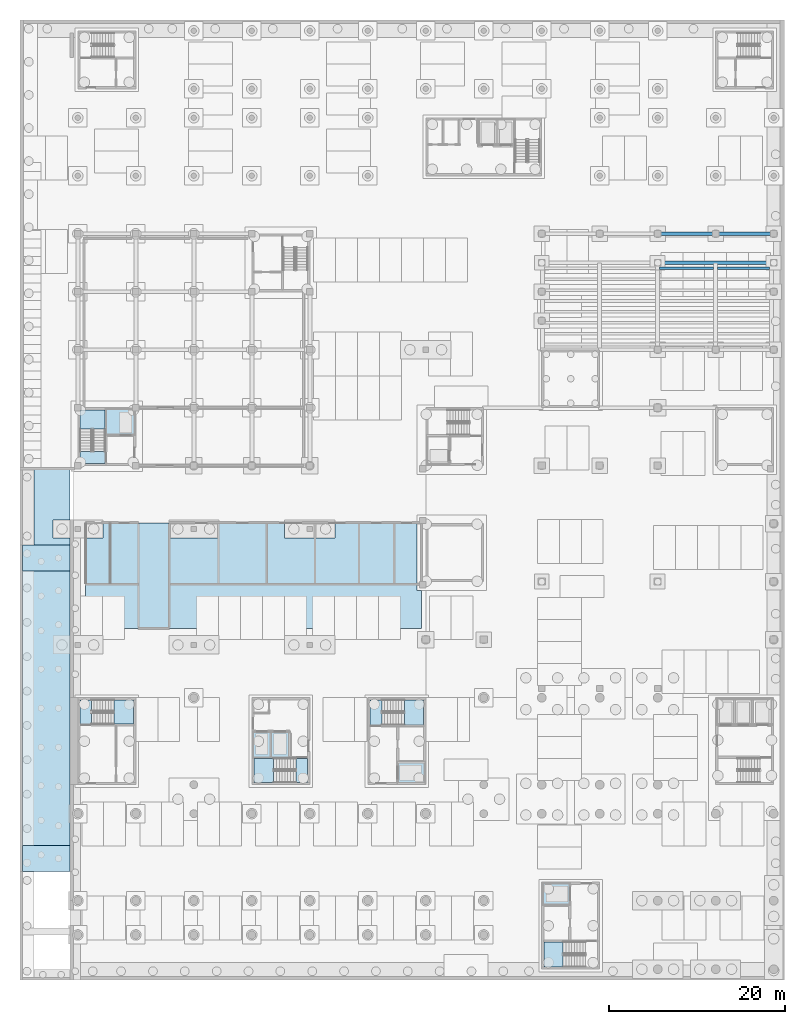
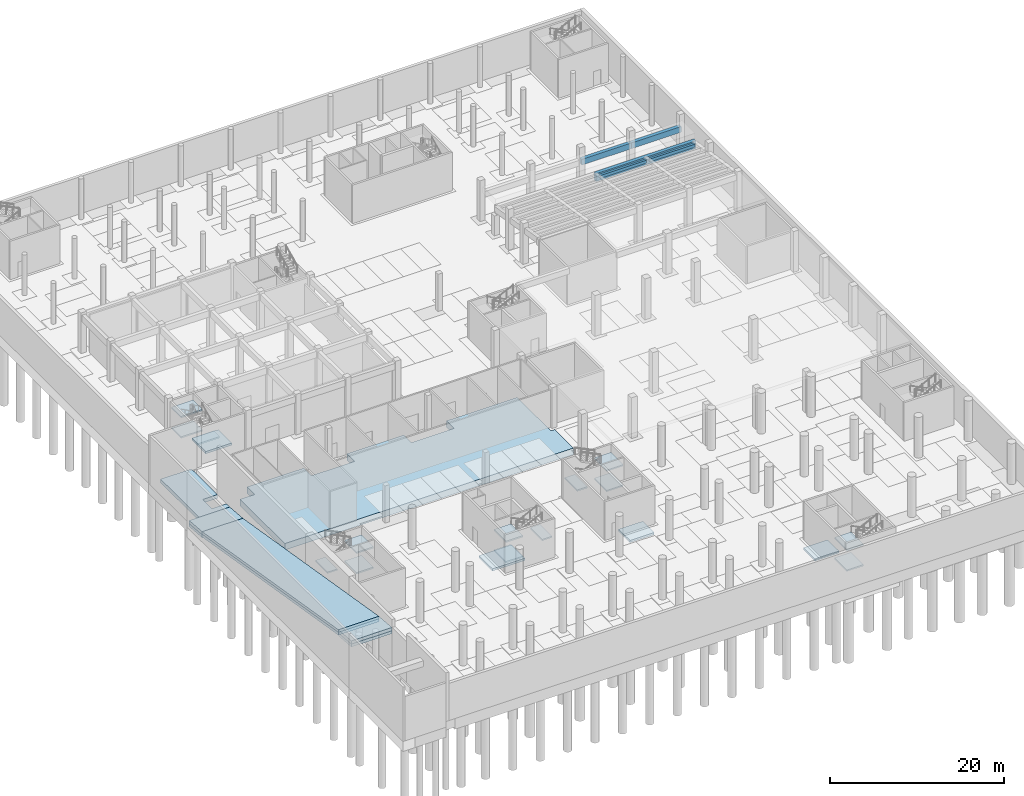
# One storey, part 7 of 38: 26 slabs, 5 beams, 5 elements without a shape of their own.
"""IFC4 building model written with IfcOpenShell, lengths in metres."""

import ifcopenshell
import ifcopenshell.guid

model = None  # the IFC model being written
_history = None  # IfcOwnerHistory: only IFC2X3 demands one
_inside = {}  # id of a spatial element -> (the spatial element, [elements in it])
_under = {}  # id of a project, library or spatial element -> (it, [spatial elements below it])
_declared = {}  # id of a project -> (the project, [libraries it declares])
_typed = {}  # id of a type object -> (the type object, [elements of that type])
_made_of = {}  # id of a material, layer set ... -> (it, [elements and type objects made of it])


def new_model(schema):
    """Start an empty IFC model of exactly this schema.

    Asked for "IFC4X3", IfcOpenShell would pick the latest addendum, in which some entities
    have other attributes; the version numbers below select the first issue.
    IFC2X3 requires an IfcOwnerHistory on every rooted entity: one is made here for all.
    """
    global model, _history
    if schema == "IFC4X3":
        model = ifcopenshell.file(schema_version=(4, 3, 0, 0))
    else:
        model = ifcopenshell.file(schema=schema)
    _inside.clear()
    _under.clear()
    _declared.clear()
    _typed.clear()
    _made_of.clear()
    _history = None
    if model.schema == "IFC2X3":
        org = make("IfcOrganization", Name="unknown")
        user = make(
            "IfcPersonAndOrganization",
            ThePerson=make("IfcPerson", FamilyName="unknown"),
            TheOrganization=org,
        )
        app = make(
            "IfcApplication",
            ApplicationDeveloper=org,
            Version="unknown",
            ApplicationFullName="unknown",
            ApplicationIdentifier="unknown",
        )
        _history = make(
            "IfcOwnerHistory",
            OwningUser=user,
            OwningApplication=app,
            ChangeAction="ADDED",
            CreationDate=0,
        )
    return model


def make(cls, **values):
    """One entity of the class cls with the attributes given. An attribute that is None is left unset."""
    return model.create_entity(
        cls, **{name: value for name, value in values.items() if value is not None}
    )


def rooted(cls, **values):
    """An entity with a GlobalId (a new one), such as an element, a storey or a relation."""
    return make(cls, GlobalId=ifcopenshell.guid.new(), OwnerHistory=_history, **values)


def si_unit(unit_type, name, prefix=None):
    """IfcSIUnit, for example si_unit("LENGTHUNIT", "METRE", prefix="MILLI")."""
    return make("IfcSIUnit", UnitType=unit_type, Prefix=prefix, Name=name)


def assignment(units):
    """IfcUnitAssignment: the units of a project."""
    return None if units is None else make("IfcUnitAssignment", Units=units)


def point(xyz):
    """IfcCartesianPoint."""
    return None if xyz is None else make("IfcCartesianPoint", Coordinates=xyz)


def direction(xyz):
    """IfcDirection."""
    return None if xyz is None else make("IfcDirection", DirectionRatios=xyz)


def frame(location, z_axis=None, x_axis=None):
    """IfcAxis2Placement3D, a coordinate frame: its origin and axes. An axis left out is left unset."""
    return make(
        "IfcAxis2Placement3D",
        Location=point(location),
        Axis=direction(z_axis),
        RefDirection=direction(x_axis),
    )


def frame_2d(location, x_axis=None):
    """IfcAxis2Placement2D, a coordinate frame in the plane: its origin and x axis."""
    return make(
        "IfcAxis2Placement2D", Location=point(location), RefDirection=direction(x_axis)
    )


def origin():
    """The frame at (0, 0, 0) with its axes left unset."""
    return frame((0.0, 0.0, 0.0))


def origin_2d():
    """The frame at (0, 0) in the plane with its x axis left unset."""
    return frame_2d((0.0, 0.0))


def place(relative_to, where):
    """IfcLocalPlacement: puts the frame where relative to a parent placement (None: the world)."""
    return make(
        "IfcLocalPlacement", PlacementRelTo=relative_to, RelativePlacement=where
    )


def context(
    kind, dimensions, precision=None, world=None, true_north=None, identifier=None
):
    """IfcGeometricRepresentationContext, for example the 3D "Model" context."""
    return make(
        "IfcGeometricRepresentationContext",
        ContextIdentifier=identifier,
        ContextType=kind,
        CoordinateSpaceDimension=dimensions,
        Precision=precision,
        WorldCoordinateSystem=world,
        TrueNorth=true_north,
    )


def subcontext(parent, identifier, kind, view, scale=None):
    """IfcGeometricRepresentationSubContext, for example "Body" below "Model"."""
    return make(
        "IfcGeometricRepresentationSubContext",
        ContextIdentifier=identifier,
        ContextType=kind,
        ParentContext=parent,
        TargetScale=scale,
        TargetView=view,
    )


def project(units=None, contexts=None):
    """IfcProject with its units and contexts."""
    return rooted(
        "IfcProject",
        Name="project",
        RepresentationContexts=contexts,
        UnitsInContext=assignment(units),
    )


def spatial(cls, under=None, at=None, **own):
    """A site, building, storey or space (cls), placed at a placement, below another one or the project."""
    s = rooted(cls, ObjectPlacement=at, **own)
    if under is not None:
        _under.setdefault(under.id(), (under, []))[1].append(s)
    return s


def polyline(points):
    """IfcPolyline through the points."""
    return make("IfcPolyline", Points=[point(p) for p in points])


def profile(cls, at=None, kind="AREA", **sizes):
    """A parametric profile (cls). Its sizes go by their IFC names, for example OverallWidth=200.0."""
    return make(cls, ProfileType=kind, Position=at, **sizes)


def rectangle(**sizes):
    """IfcRectangleProfileDef."""
    return profile("IfcRectangleProfileDef", **sizes)


def outline(outer, holes=None, kind="AREA"):
    """IfcArbitraryClosedProfileDef: a profile drawn as a closed curve; with holes, ...WithVoids."""
    if holes is None:
        return make("IfcArbitraryClosedProfileDef", ProfileType=kind, OuterCurve=outer)
    return make(
        "IfcArbitraryProfileDefWithVoids",
        ProfileType=kind,
        OuterCurve=outer,
        InnerCurves=holes,
    )


def extrude(swept, where, along, depth):
    """IfcExtrudedAreaSolid: the profile swept, set in the frame where, extruded along a direction by depth."""
    return make(
        "IfcExtrudedAreaSolid",
        SweptArea=swept,
        Position=where,
        ExtrudedDirection=direction(along),
        Depth=depth,
    )


def shape(context_of_items, identifier, shape_type, items):
    """IfcShapeRepresentation: the items that make up one representation, for example the "Body"."""
    return make(
        "IfcShapeRepresentation",
        ContextOfItems=context_of_items,
        RepresentationIdentifier=identifier,
        RepresentationType=shape_type,
        Items=items,
    )


def material(Name=None, Category=None):
    """IfcMaterial."""
    return make("IfcMaterial", Name=Name, Category=Category)


def layer(
    of_material, thickness, ventilated=None, Name=None, Category=None, Priority=None
):
    """IfcMaterialLayer: one layer of a wall or slab, of a material (None: an air gap)."""
    return make(
        "IfcMaterialLayer",
        Material=of_material,
        LayerThickness=thickness,
        IsVentilated=ventilated,
        Name=Name,
        Category=Category,
        Priority=Priority,
    )


def layer_set(layers, Name=None):
    """IfcMaterialLayerSet."""
    return make("IfcMaterialLayerSet", MaterialLayers=layers, LayerSetName=Name)


def material_profile(
    of_material, cross_section, Name=None, Category=None, Priority=None
):
    """IfcMaterialProfile: a cross section and its material."""
    return make(
        "IfcMaterialProfile",
        Name=Name,
        Material=of_material,
        Profile=cross_section,
        Priority=Priority,
        Category=Category,
    )


def profile_set(profiles, Name=None, composite=None):
    """IfcMaterialProfileSet."""
    return make(
        "IfcMaterialProfileSet",
        Name=Name,
        MaterialProfiles=profiles,
        CompositeProfile=composite,
    )


def made_of(thing, what):
    """Note that an element or type object is made of a material, layer set ...; save() writes the relation."""
    if what is not None:
        _made_of.setdefault(what.id(), (what, []))[1].append(thing)
    return thing


def type_object(cls, material=None, **own):
    """A type object (cls), such as IfcWallType, which elements share."""
    return made_of(rooted(cls, **own), material)


def element(
    cls,
    number,
    at=None,
    inside=None,
    cuts=None,
    type_object=None,
    material=None,
    context=None,
    identifier="Body",
    shape_type=None,
    held_by="IfcProductDefinitionShape",
    body=None,
    shapes=None,
    **own,
):
    """One element of the class cls, such as IfcWall. Its Tag is "e" and its number.

    at: its placement. inside: the storey or other place that contains it. cuts: it is an
    opening in that element (IfcRelVoidsElement). A single representation is given by context,
    identifier, shape_type and body (its items); several are given by shapes. held_by: the class
    of the entity that holds the representations. save() writes the other relations.
    """
    e = rooted(cls, Tag="e%d" % number, ObjectPlacement=at, **own)
    if body is not None:
        shapes = [shape(context, identifier, shape_type, body)]
    if shapes is not None:
        e.Representation = make(held_by, Representations=shapes)
    if inside is not None:
        _inside.setdefault(inside.id(), (inside, []))[1].append(e)
    if cuts is not None:
        rooted(
            "IfcRelVoidsElement", RelatingBuildingElement=cuts, RelatedOpeningElement=e
        )
    if type_object is not None:
        _typed.setdefault(type_object.id(), (type_object, []))[1].append(e)
    return made_of(e, material)


def aggregate(whole, parts):
    """IfcRelAggregates: a whole, such as a stair, and the parts it consists of."""
    return rooted("IfcRelAggregates", RelatingObject=whole, RelatedObjects=parts)


def save(model, path):
    """Write the relations noted so far, then the file.

    IfcRelAggregates (storeys below a building ...), IfcRelContainedInSpatialStructure (elements
    in a storey), IfcRelDefinesByType, IfcRelAssociatesMaterial and IfcRelDeclares: one each for
    every whole, place, type object, material and project.
    """
    for whole, parts in _under.values():
        aggregate(whole, parts)
    for where, things in _inside.values():
        rooted(
            "IfcRelContainedInSpatialStructure",
            RelatedElements=things,
            RelatingStructure=where,
        )
    for kind, things in _typed.values():
        rooted("IfcRelDefinesByType", RelatedObjects=things, RelatingType=kind)
    for what, things in _made_of.values():
        rooted("IfcRelAssociatesMaterial", RelatedObjects=things, RelatingMaterial=what)
    for by, libraries in _declared.values():
        rooted("IfcRelDeclares", RelatingContext=by, RelatedDefinitions=libraries)
    model.write(path)


model = new_model("IFC4")

# Units and contexts
model_context = context("Model", 3, precision=1e-05, world=origin(), true_north=direction((0.0, 1.0)))
body_context = subcontext(model_context, "Body", "Model", "MODEL_VIEW")
ifc_project = project(units=[si_unit("LENGTHUNIT", "METRE"), si_unit("AREAUNIT", "SQUARE_METRE"), si_unit("VOLUMEUNIT", "CUBIC_METRE"), si_unit("PLANEANGLEUNIT", "RADIAN"), si_unit("MASSUNIT", "GRAM", prefix="KILO")], contexts=[model_context])

# Site, building, storey
site_placement = place(None, origin())
site = spatial("IfcSite", under=ifc_project, at=site_placement, CompositionType="ELEMENT")
building_placement = place(site_placement, origin())
building = spatial("IfcBuilding", under=site, at=building_placement, Name="Lantern Court Research Institute", CompositionType="ELEMENT")
storey_placement = place(building_placement, frame((0.0, 0.0, -5.699951171875)))
storey = spatial("IfcBuildingStorey", under=building, at=storey_placement, Name="B1", CompositionType="ELEMENT", Elevation=-5.699951171875)

# Beams
ifc_material_1 = material(Name="Concrete C40/50", Category="concrete")
ifc_material_profile_1 = material_profile(ifc_material_1, rectangle(XDim=0.449951171875, YDim=1.10009765625, at=origin_2d()), Name="Hall beam 450 x 1100")
ifc_profile_set_1 = profile_set([ifc_material_profile_1], Name="Concrete C40/50")
beam_type_1 = type_object("IfcBeamType", Name="Hall beam 450 x 1100", PredefinedType="BEAM", material=ifc_profile_set_1)
beam_1_placement = place(storey_placement, frame((66.0, 72.60009765625, 3.33984375), z_axis=(1.0, 0.0, 0.0), x_axis=(0.0, 1.0, 0.0)))
element("IfcBeam", 1, at=beam_1_placement, inside=storey, type_object=beam_type_1, Name="Stage front beam", PredefinedType="BEAM", context=body_context, shape_type="SweptSolid", body=[
    extrude(rectangle(XDim=0.449951171875, YDim=1.10009765625, at=origin_2d()), origin(), (0.0, 0.0, 1.0), 13.199951171875),
])
ifc_material_2 = material(Name="Concrete C40/50", Category="concrete")
ifc_material_profile_2 = material_profile(ifc_material_2, rectangle(XDim=0.449951171875, YDim=0.800048828125, at=origin_2d()), Name="Hall beam 450 x 800")
ifc_profile_set_2 = profile_set([ifc_material_profile_2], Name="Concrete C40/50")
beam_type_2 = type_object("IfcBeamType", Name="Hall beam 450 x 800", PredefinedType="BEAM", material=ifc_profile_set_2)
beam_2_placement = place(storey_placement, frame((66.0, 75.89990234375, 3.489990234375), z_axis=(1.0, 0.0, 0.0), x_axis=(0.0, 1.0, 0.0)))
element("IfcBeam", 2, at=beam_2_placement, inside=storey, type_object=beam_type_2, Name="Stage back beam", PredefinedType="BEAM", context=body_context, shape_type="SweptSolid", body=[
    extrude(rectangle(XDim=0.449951171875, YDim=0.800048828125, at=origin_2d()), origin(), (0.0, 0.0, 1.0), 6.60009765625),
])
beam_3_placement = place(storey_placement, frame((72.60009765625, 75.89990234375, 3.489990234375), z_axis=(1.0, 0.0, 0.0), x_axis=(0.0, 1.0, 0.0)))
element("IfcBeam", 3, at=beam_3_placement, inside=storey, type_object=beam_type_2, Name="Stage back beam", PredefinedType="BEAM", context=body_context, shape_type="SweptSolid", body=[
    extrude(rectangle(XDim=0.449951171875, YDim=0.800048828125, at=origin_2d()), origin(), (0.0, 0.0, 1.0), 6.599853515625),
])
ifc_material_3 = material(Name="Concrete C40/50", Category="concrete")
ifc_material_profile_3 = material_profile(ifc_material_3, rectangle(XDim=0.300048828125, YDim=0.39990234375, at=origin_2d()), Name="Step rib 300 x 400")
ifc_profile_set_3 = profile_set([ifc_material_profile_3], Name="Concrete C40/50")
beam_type_3 = type_object("IfcBeamType", Name="Step rib 300 x 400", PredefinedType="BEAM", material=ifc_profile_set_3)
beam_4_placement = place(storey_placement, frame((66.22509765625, 71.96240234375, 3.699951171875), z_axis=(1.0, 0.0, 0.0), x_axis=(0.0, 1.0, 0.0)))
element("IfcBeam", 4, at=beam_4_placement, inside=storey, type_object=beam_type_3, Name="Step rib", PredefinedType="BEAM", context=body_context, shape_type="SweptSolid", body=[
    extrude(rectangle(XDim=0.300048828125, YDim=0.39990234375, at=origin_2d()), origin(), (0.0, 0.0, 1.0), 6.14990234375),
])
beam_5_placement = place(storey_placement, frame((72.824951171875, 71.96240234375, 3.699951171875), z_axis=(1.0, 0.0, 0.0), x_axis=(0.0, 1.0, 0.0)))
element("IfcBeam", 5, at=beam_5_placement, inside=storey, type_object=beam_type_3, Name="Step rib", PredefinedType="BEAM", context=body_context, shape_type="SweptSolid", body=[
    extrude(rectangle(XDim=0.300048828125, YDim=0.39990234375, at=origin_2d()), origin(), (0.0, 0.0, 1.0), 5.925048828125),
])

# Slabs
ifc_material_4 = material(Name="Concrete C30/37", Category="concrete")
ifc_layer_1 = layer(ifc_material_4, 0.5)
ifc_layer_set_1 = layer_set([ifc_layer_1], Name="Concrete C30/37")
slab_type_1 = type_object("IfcSlabType", Name="Base slab 500", PredefinedType="BASESLAB", material=ifc_layer_set_1)
slab_1_placement = place(storey_placement, frame((0.0, 0.0, -0.5)))
element("IfcSlab", 6, at=slab_1_placement, inside=storey, type_object=slab_type_1, Name="Base slab BS3", PredefinedType="BASESLAB", context=body_context, shape_type="SweptSolid", body=[
    extrude(outline(polyline([(-0.89990234375, 43.35009765625), (-2.85009765625, 43.35009765625), (-2.85009765625, 41.25), (-0.89990234375, 41.25), (-0.89990234375, 40.5), (-4.97998046875, 40.5), (-4.97998046875, 49.300048828125), (-4.580078125, 49.300048828125), (-0.89990234375, 49.300048828125), (-0.89990234375, 43.35009765625)])), origin(), (0.0, 0.0, 1.0), 0.5),
])
ifc_material_5 = material(Name="Concrete C30/37", Category="concrete")
ifc_layer_2 = layer(ifc_material_5, 0.89990234375)
ifc_layer_set_2 = layer_set([ifc_layer_2], Name="Concrete C30/37")
slab_type_2 = type_object("IfcSlabType", Name="Base slab 900", PredefinedType="BASESLAB", material=ifc_layer_set_2)
slab_2_placement = place(storey_placement, frame((0.0, 0.0, -0.900146484375)))
element("IfcSlab", 7, at=slab_2_placement, inside=storey, type_object=slab_type_2, Name="Base slab BS1", PredefinedType="BASESLAB", context=body_context, shape_type="SweptSolid", body=[
    extrude(outline(polyline([(2.85009765625, 41.25), (2.85009765625, 43.0), (10.35009765625, 43.0), (10.35009765625, 41.25), (16.050048828125, 41.25), (16.050048828125, 43.0), (23.550048828125, 43.0), (23.550048828125, 41.25), (29.25, 41.25), (29.25, 43.0), (38.60009765625, 43.0), (38.60009765625, 35.300048828125), (39.10009765625, 35.300048828125), (39.10009765625, 31.0), (0.89990234375, 31.0), (0.89990234375, 41.25), (2.85009765625, 41.25)])), origin(), (0.0, 0.0, 1.0), 0.900146484375),
])
ifc_material_6 = material(Name="Concrete C30/37", Category="concrete")
ifc_layer_3 = layer(ifc_material_6, 0.300048828125)
ifc_layer_set_3 = layer_set([ifc_layer_3], Name="Concrete C30/37")
slab_type_3 = type_object("IfcSlabType", Name="RC lift pit slab 300", PredefinedType="BASESLAB", material=ifc_layer_set_3)
slab_3_placement = place(storey_placement, frame((0.0, 0.0, -1.5)))
element("IfcSlab", 8, at=slab_3_placement, inside=storey, type_object=slab_type_3, Name="Lift pit floor of core BC-M", PredefinedType="BASESLAB", context=body_context, shape_type="SweptSolid", body=[
    extrude(outline(polyline([(19.85009765625, 16.199951171875), (24.14990234375, 16.199951171875), (24.14990234375, 19.300048828125), (19.85009765625, 19.300048828125), (19.85009765625, 16.199951171875)])), origin(), (0.0, 0.0, 1.0), 0.300048828125),
])
slab_4_placement = place(storey_placement, frame((0.0, 0.0, -1.5)))
element("IfcSlab", 9, at=slab_4_placement, inside=storey, type_object=slab_type_3, Name="Lift pit floor of core BC-E", PredefinedType="BASESLAB", context=body_context, shape_type="SweptSolid", body=[
    extrude(outline(polyline([(36.35009765625, 13.25), (39.550048828125, 13.25), (39.550048828125, 15.85009765625), (36.35009765625, 15.85009765625), (36.35009765625, 13.25)])), origin(), (0.0, 0.0, 1.0), 0.300048828125),
])
slab_5_placement = place(storey_placement, frame((0.0, 0.0, -1.5)))
element("IfcSlab", 10, at=slab_5_placement, inside=storey, type_object=slab_type_3, Name="Lift pit floor of core TC-W", PredefinedType="BASESLAB", context=body_context, shape_type="SweptSolid", body=[
    extrude(outline(polyline([(52.85009765625, -0.550048828125), (56.050048828125, -0.550048828125), (56.050048828125, 2.050048828125), (52.85009765625, 2.050048828125), (52.85009765625, -0.550048828125)])), origin(), (0.0, 0.0, 1.0), 0.300048828125),
])
slab_6_placement = place(storey_placement, frame((0.0, 0.0, -1.5)))
element("IfcSlab", 11, at=slab_6_placement, inside=storey, type_object=slab_type_3, Name="Lift pit floor of core CC-A", PredefinedType="BASESLAB", context=body_context, shape_type="SweptSolid", body=[
    extrude(outline(polyline([(3.10009765625, 52.949951171875), (6.550048828125, 52.949951171875), (6.550048828125, 56.050048828125), (3.10009765625, 56.050048828125), (3.10009765625, 52.949951171875)])), origin(), (0.0, 0.0, 1.0), 0.300048828125),
])

# Stair, slabs
ifc_material_7 = material(Name="Concrete C40/50", Category="concrete")
stair_type_1 = type_object("IfcStairType", Name="RC half-turn stair 1300 wide, 5700 rise, 6100 shaft", PredefinedType="HALF_TURN_STAIR", material=ifc_material_7)
stair_1_placement = place(storey_placement, origin())
stair_1 = element("IfcStair", 12, at=stair_1_placement, inside=storey, type_object=stair_type_1, Name="B1 stair ST-B1", PredefinedType="HALF_TURN_STAIR")
ifc_material_8 = material(Name="Concrete C40/50", Category="concrete")
ifc_layer_4 = layer(ifc_material_8, 0.199951171875)
ifc_layer_set_4 = layer_set([ifc_layer_4], Name="Concrete C40/50")
slab_type_4 = type_object("IfcSlabType", Name="RC stair landing 200", PredefinedType="LANDING", material=ifc_layer_set_4)
slab_7_placement = place(storey_placement, frame((0.0, 0.0, 1.224853515625)))
slab_7 = element("IfcSlab", 13, at=slab_7_placement, type_object=slab_type_4, Name="ST-B1 landing 1", PredefinedType="LANDING", context=body_context, shape_type="SweptSolid", body=[
    extrude(outline(polyline([(4.110107421875, 20.10009765625), (6.35009765625, 20.10009765625), (6.35009765625, 22.85009765625), (4.110107421875, 22.85009765625), (4.110107421875, 20.10009765625)])), origin(), (0.0, 0.0, 1.0), 0.2001953125),
])
slab_8_placement = place(storey_placement, frame((0.0, 0.0, 2.64990234375)))
slab_8 = element("IfcSlab", 14, at=slab_8_placement, type_object=slab_type_4, Name="ST-B1 landing 2", PredefinedType="LANDING", context=body_context, shape_type="SweptSolid", body=[
    extrude(outline(polyline([(0.25, 20.10009765625), (1.550048828125, 20.10009765625), (1.550048828125, 22.85009765625), (0.25, 22.85009765625), (0.25, 20.10009765625)])), origin(), (0.0, 0.0, 1.0), 0.199951171875),
])
slab_9_placement = place(storey_placement, frame((0.0, 0.0, 4.074951171875)))
slab_9 = element("IfcSlab", 15, at=slab_9_placement, type_object=slab_type_4, Name="ST-B1 landing 3", PredefinedType="LANDING", context=body_context, shape_type="SweptSolid", body=[
    extrude(outline(polyline([(4.110107421875, 20.10009765625), (6.35009765625, 20.10009765625), (6.35009765625, 22.85009765625), (4.110107421875, 22.85009765625), (4.110107421875, 20.10009765625)])), origin(), (0.0, 0.0, 1.0), 0.199951171875),
])
aggregate(stair_1, [slab_7, slab_8, slab_9])

stair_2_placement = place(storey_placement, origin())
stair_2 = element("IfcStair", 16, at=stair_2_placement, inside=storey, type_object=stair_type_1, Name="B1 stair ST-B2", PredefinedType="HALF_TURN_STAIR")
slab_10_placement = place(storey_placement, frame((0.0, 0.0, 1.224853515625)))
slab_10 = element("IfcSlab", 17, at=slab_10_placement, type_object=slab_type_4, Name="ST-B2 landing 1", PredefinedType="LANDING", context=body_context, shape_type="SweptSolid", body=[
    extrude(outline(polyline([(22.2900390625, 16.199951171875), (20.050048828125, 16.199951171875), (20.050048828125, 13.449951171875), (22.2900390625, 13.449951171875), (22.2900390625, 16.199951171875)])), origin(), (0.0, 0.0, 1.0), 0.2001953125),
])
slab_11_placement = place(storey_placement, frame((0.0, 0.0, 2.64990234375)))
slab_11 = element("IfcSlab", 18, at=slab_11_placement, type_object=slab_type_4, Name="ST-B2 landing 2", PredefinedType="LANDING", context=body_context, shape_type="SweptSolid", body=[
    extrude(outline(polyline([(26.14990234375, 16.199951171875), (24.85009765625, 16.199951171875), (24.85009765625, 13.449951171875), (26.14990234375, 13.449951171875), (26.14990234375, 16.199951171875)])), origin(), (0.0, 0.0, 1.0), 0.199951171875),
])
slab_12_placement = place(storey_placement, frame((0.0, 0.0, 4.074951171875)))
slab_12 = element("IfcSlab", 19, at=slab_12_placement, type_object=slab_type_4, Name="ST-B2 landing 3", PredefinedType="LANDING", context=body_context, shape_type="SweptSolid", body=[
    extrude(outline(polyline([(22.2900390625, 16.199951171875), (20.050048828125, 16.199951171875), (20.050048828125, 13.449951171875), (22.2900390625, 13.449951171875), (22.2900390625, 16.199951171875)])), origin(), (0.0, 0.0, 1.0), 0.199951171875),
])
aggregate(stair_2, [slab_10, slab_11, slab_12])

ifc_material_9 = material(Name="Concrete C40/50", Category="concrete")
stair_type_2 = type_object("IfcStairType", Name="RC half-turn stair 1350 wide, 5700 rise, 6100 shaft", PredefinedType="HALF_TURN_STAIR", material=ifc_material_9)
stair_3_placement = place(storey_placement, origin())
stair_3 = element("IfcStair", 20, at=stair_3_placement, inside=storey, type_object=stair_type_2, Name="B1 stair ST-B3", PredefinedType="HALF_TURN_STAIR")
slab_13_placement = place(storey_placement, frame((0.0, 0.0, 1.224853515625)))
slab_13 = element("IfcSlab", 21, at=slab_13_placement, type_object=slab_type_4, Name="ST-B3 landing 1", PredefinedType="LANDING", context=body_context, shape_type="SweptSolid", body=[
    extrude(outline(polyline([(37.159912109375, 20.0), (39.35009765625, 20.0), (39.35009765625, 22.85009765625), (37.159912109375, 22.85009765625), (37.159912109375, 20.0)])), origin(), (0.0, 0.0, 1.0), 0.2001953125),
])
slab_14_placement = place(storey_placement, frame((0.0, 0.0, 2.64990234375)))
slab_14 = element("IfcSlab", 22, at=slab_14_placement, type_object=slab_type_4, Name="ST-B3 landing 2", PredefinedType="LANDING", context=body_context, shape_type="SweptSolid", body=[
    extrude(outline(polyline([(33.25, 20.0), (34.60009765625, 20.0), (34.60009765625, 22.85009765625), (33.25, 22.85009765625), (33.25, 20.0)])), origin(), (0.0, 0.0, 1.0), 0.199951171875),
])
slab_15_placement = place(storey_placement, frame((0.0, 0.0, 4.074951171875)))
slab_15 = element("IfcSlab", 23, at=slab_15_placement, type_object=slab_type_4, Name="ST-B3 landing 3", PredefinedType="LANDING", context=body_context, shape_type="SweptSolid", body=[
    extrude(outline(polyline([(37.159912109375, 20.0), (39.35009765625, 20.0), (39.35009765625, 22.85009765625), (37.159912109375, 22.85009765625), (37.159912109375, 20.0)])), origin(), (0.0, 0.0, 1.0), 0.199951171875),
])
aggregate(stair_3, [slab_13, slab_14, slab_15])

stair_4_placement = place(storey_placement, origin())
stair_4 = element("IfcStair", 24, at=stair_4_placement, inside=storey, type_object=stair_type_2, Name="B1 stair ST-T1", PredefinedType="HALF_TURN_STAIR")
slab_16_placement = place(storey_placement, frame((0.0, 0.0, 1.224853515625)))
slab_16 = element("IfcSlab", 25, at=slab_16_placement, type_object=slab_type_4, Name="ST-T1 landing 1", PredefinedType="LANDING", context=body_context, shape_type="SweptSolid", body=[
    extrude(outline(polyline([(55.239990234375, -4.699951171875), (53.050048828125, -4.699951171875), (53.050048828125, -7.550048828125), (55.239990234375, -7.550048828125), (55.239990234375, -4.699951171875)])), origin(), (0.0, 0.0, 1.0), 0.2001953125),
])
slab_17_placement = place(storey_placement, frame((0.0, 0.0, 4.074951171875)))
slab_17 = element("IfcSlab", 26, at=slab_17_placement, type_object=slab_type_4, Name="ST-T1 landing 3", PredefinedType="LANDING", context=body_context, shape_type="SweptSolid", body=[
    extrude(outline(polyline([(55.239990234375, -4.699951171875), (53.050048828125, -4.699951171875), (53.050048828125, -7.550048828125), (55.239990234375, -7.550048828125), (55.239990234375, -4.699951171875)])), origin(), (0.0, 0.0, 1.0), 0.199951171875),
])
aggregate(stair_4, [slab_16, slab_17])

stair_5_placement = place(storey_placement, origin())
stair_5 = element("IfcStair", 27, at=stair_5_placement, inside=storey, type_object=stair_type_2, Name="B1 stair ST-C1", PredefinedType="HALF_TURN_STAIR")
slab_18_placement = place(storey_placement, frame((0.0, 0.0, 1.224853515625)))
slab_18 = element("IfcSlab", 28, at=slab_18_placement, type_object=slab_type_4, Name="ST-C1 landing 1", PredefinedType="LANDING", context=body_context, shape_type="SweptSolid", body=[
    extrude(outline(polyline([(3.10009765625, 53.659912109375), (3.10009765625, 55.85009765625), (0.25, 55.85009765625), (0.25, 53.659912109375), (3.10009765625, 53.659912109375)])), origin(), (0.0, 0.0, 1.0), 0.2001953125),
])
slab_19_placement = place(storey_placement, frame((0.0, 0.0, 2.64990234375)))
slab_19 = element("IfcSlab", 29, at=slab_19_placement, type_object=slab_type_4, Name="ST-C1 landing 2", PredefinedType="LANDING", context=body_context, shape_type="SweptSolid", body=[
    extrude(outline(polyline([(3.10009765625, 49.75), (3.10009765625, 51.10009765625), (0.25, 51.10009765625), (0.25, 49.75), (3.10009765625, 49.75)])), origin(), (0.0, 0.0, 1.0), 0.199951171875),
])
slab_20_placement = place(storey_placement, frame((0.0, 0.0, 4.074951171875)))
slab_20 = element("IfcSlab", 30, at=slab_20_placement, type_object=slab_type_4, Name="ST-C1 landing 3", PredefinedType="LANDING", context=body_context, shape_type="SweptSolid", body=[
    extrude(outline(polyline([(3.10009765625, 53.659912109375), (3.10009765625, 55.85009765625), (0.25, 55.85009765625), (0.25, 53.659912109375), (3.10009765625, 53.659912109375)])), origin(), (0.0, 0.0, 1.0), 0.199951171875),
])
aggregate(stair_5, [slab_18, slab_19, slab_20])

# Slabs
ifc_material_10 = material(Name="Concrete C30/37", Category="concrete")
ifc_layer_5 = layer(ifc_material_10, 0.39990234375)
ifc_layer_set_5 = layer_set([ifc_layer_5], Name="Concrete C30/37")
slab_type_5 = type_object("IfcSlabType", Name="Ramp bed slab 400", PredefinedType="BASESLAB", material=ifc_layer_set_5)
slab_21_placement = place(storey_placement, frame((-3.590087890625, 3.300048828125, 5.25), z_axis=(0.0, 0.0, 1.0), x_axis=(0.0, 1.0, 0.0)))
element("IfcSlab", 31, at=slab_21_placement, inside=storey, type_object=slab_type_5, Name="Ramp bed slab under the upper transition", PredefinedType="BASESLAB", context=body_context, shape_type="SweptSolid", body=[
    extrude(outline(polyline([(0.0, 0.0), (3.0, -0.25), (3.0, -0.64990234375), (0.0, -0.39990234375), (0.0, 0.0)])), frame((0.0, 2.68994140625, 0.0), z_axis=(0.0, -1.0, 0.0), x_axis=(1.0, 0.0, 0.0)), (0.0, 0.0, 1.0), 5.3798828125),
])
slab_22_placement = place(storey_placement, frame((-3.590087890625, 6.300048828125, 5.099853515625), z_axis=(0.0, 0.0, 1.0), x_axis=(0.0, 1.0, 0.0)))
element("IfcSlab", 32, at=slab_22_placement, inside=storey, type_object=slab_type_5, Name="Ramp bed slab under the main flight", PredefinedType="BASESLAB", context=body_context, shape_type="SweptSolid", body=[
    extrude(outline(polyline([(0.0, 0.0), (31.199951171875, -5.199951171875), (31.199951171875, -5.599853515625), (0.0, -0.39990234375), (0.0, 0.0)])), frame((0.0, 2.68994140625, 0.0), z_axis=(0.0, -1.0, 0.0), x_axis=(1.0, 0.0, 0.0)), (0.0, 0.0, 1.0), 5.3798828125),
])
slab_23_placement = place(storey_placement, frame((-3.590087890625, 37.5, -0.199951171875), z_axis=(0.0, 0.0, 1.0), x_axis=(0.0, 1.0, 0.0)))
element("IfcSlab", 33, at=slab_23_placement, inside=storey, type_object=slab_type_5, Name="Ramp bed slab under the lower transition", PredefinedType="BASESLAB", context=body_context, shape_type="SweptSolid", body=[
    extrude(outline(polyline([(0.0, 0.0), (3.0, -0.25), (3.0, -0.64990234375), (0.0, -0.39990234375), (0.0, 0.0)])), frame((0.0, 2.68994140625, 0.0), z_axis=(0.0, -1.0, 0.0), x_axis=(1.0, 0.0, 0.0)), (0.0, 0.0, 1.0), 5.3798828125),
])
ifc_material_11 = material(Name="Concrete C35/45", Category="concrete")
ifc_layer_6 = layer(ifc_material_11, 0.449951171875)
ifc_layer_set_6 = layer_set([ifc_layer_6], Name="Concrete C35/45")
slab_type_6 = type_object("IfcSlabType", Name="Ramp transition slab 450", PredefinedType="LANDING", material=ifc_layer_set_6)
for number, where, z_axis, x_axis, name in (
    (34, (-3.590087890625, 3.300048828125, 5.699951171875), (0.0, 0.0, 1.0), (0.0, 1.0, 0.0), "Car park ramp RM1 upper transition"),
    (35, (-3.590087890625, 37.5, 0.25), (0.0, 0.0, 1.0), (0.0, 1.0, 0.0), "Car park ramp RM1 lower transition"),
):
    element("IfcSlab", number, at=place(storey_placement, frame(where, z_axis=z_axis, x_axis=x_axis)), inside=storey, type_object=slab_type_6, Name=name, PredefinedType="LANDING", context=body_context, shape_type="SweptSolid", body=[
        extrude(outline(polyline([(0.0, 0.0), (3.0, -0.25), (3.0, -0.699951171875), (0.0, -0.449951171875), (0.0, 0.0)])), frame((0.0, 2.68994140625, 0.0), z_axis=(0.0, -1.0, 0.0), x_axis=(1.0, 0.0, 0.0)), (0.0, 0.0, 1.0), 5.3798828125),
    ])
ifc_material_12 = material(Name="Concrete C35/45", Category="concrete")
ifc_layer_7 = layer(ifc_material_12, 0.35009765625)
ifc_layer_set_7 = layer_set([ifc_layer_7], Name="Concrete C35/45")
slab_type_7 = type_object("IfcSlabType", Name="Vehicle ramp slab 350", PredefinedType="BASESLAB", material=ifc_layer_set_7)
slab_24_placement = place(storey_placement, frame((-3.590087890625, 6.300048828125, 5.449951171875), z_axis=(0.0, 0.0, 1.0), x_axis=(0.0, 1.0, 0.0)))
element("IfcSlab", 36, at=slab_24_placement, inside=storey, type_object=slab_type_7, Name="Car park ramp RM1 main flight", PredefinedType="BASESLAB", context=body_context, shape_type="SweptSolid", body=[
    extrude(outline(polyline([(0.0, 0.0), (31.199951171875, -5.199951171875), (31.199951171875, -5.550048828125), (0.0, -0.35009765625), (0.0, 0.0)])), frame((0.0, 2.68994140625, 0.0), z_axis=(0.0, -1.0, 0.0), x_axis=(1.0, 0.0, 0.0)), (0.0, 0.0, 1.0), 5.3798828125),
])

save(model, "model.ifc")
